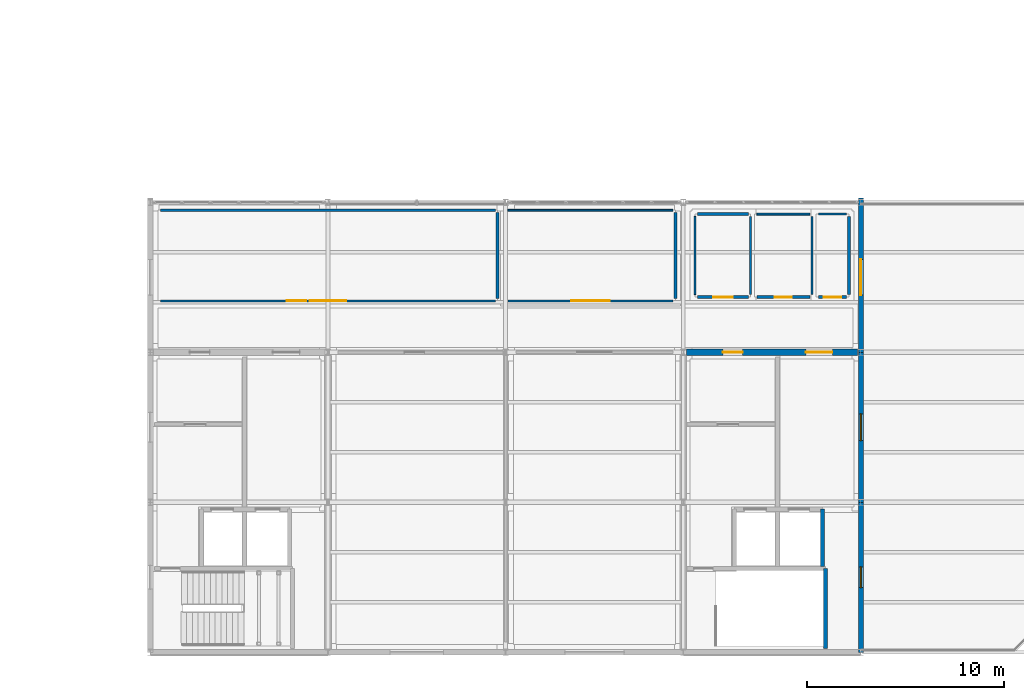
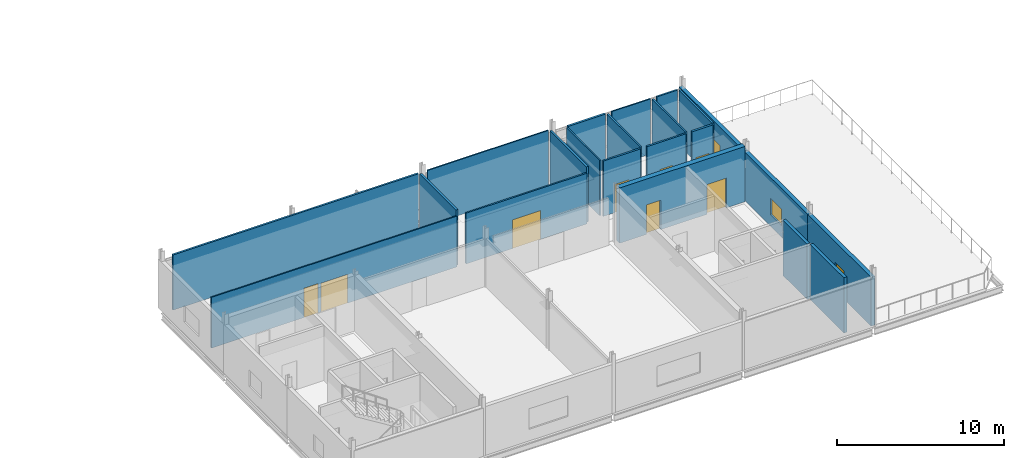
# One storey, part 21 of 24: 22 walls, 9 doors, 2 windows, 11 openings.
"""IFC4 building model written with IfcOpenShell, lengths in metres."""

import ifcopenshell
import ifcopenshell.guid

model = None  # the IFC model being written
_history = None  # IfcOwnerHistory: only IFC2X3 demands one
_inside = {}  # id of a spatial element -> (the spatial element, [elements in it])
_under = {}  # id of a project, library or spatial element -> (it, [spatial elements below it])
_declared = {}  # id of a project -> (the project, [libraries it declares])
_typed = {}  # id of a type object -> (the type object, [elements of that type])
_made_of = {}  # id of a material, layer set ... -> (it, [elements and type objects made of it])


def new_model(schema):
    """Start an empty IFC model of exactly this schema.

    Asked for "IFC4X3", IfcOpenShell would pick the latest addendum, in which some entities
    have other attributes; the version numbers below select the first issue.
    IFC2X3 requires an IfcOwnerHistory on every rooted entity: one is made here for all.
    """
    global model, _history
    if schema == "IFC4X3":
        model = ifcopenshell.file(schema_version=(4, 3, 0, 0))
    else:
        model = ifcopenshell.file(schema=schema)
    _inside.clear()
    _under.clear()
    _declared.clear()
    _typed.clear()
    _made_of.clear()
    _history = None
    if model.schema == "IFC2X3":
        org = make("IfcOrganization", Name="unknown")
        user = make(
            "IfcPersonAndOrganization",
            ThePerson=make("IfcPerson", FamilyName="unknown"),
            TheOrganization=org,
        )
        app = make(
            "IfcApplication",
            ApplicationDeveloper=org,
            Version="unknown",
            ApplicationFullName="unknown",
            ApplicationIdentifier="unknown",
        )
        _history = make(
            "IfcOwnerHistory",
            OwningUser=user,
            OwningApplication=app,
            ChangeAction="ADDED",
            CreationDate=0,
        )
    return model


def make(cls, **values):
    """One entity of the class cls with the attributes given. An attribute that is None is left unset."""
    return model.create_entity(
        cls, **{name: value for name, value in values.items() if value is not None}
    )


def rooted(cls, **values):
    """An entity with a GlobalId (a new one), such as an element, a storey or a relation."""
    return make(cls, GlobalId=ifcopenshell.guid.new(), OwnerHistory=_history, **values)


def si_unit(unit_type, name, prefix=None):
    """IfcSIUnit, for example si_unit("LENGTHUNIT", "METRE", prefix="MILLI")."""
    return make("IfcSIUnit", UnitType=unit_type, Prefix=prefix, Name=name)


def assignment(units):
    """IfcUnitAssignment: the units of a project."""
    return None if units is None else make("IfcUnitAssignment", Units=units)


def point(xyz):
    """IfcCartesianPoint."""
    return None if xyz is None else make("IfcCartesianPoint", Coordinates=xyz)


def direction(xyz):
    """IfcDirection."""
    return None if xyz is None else make("IfcDirection", DirectionRatios=xyz)


def frame(location, z_axis=None, x_axis=None):
    """IfcAxis2Placement3D, a coordinate frame: its origin and axes. An axis left out is left unset."""
    return make(
        "IfcAxis2Placement3D",
        Location=point(location),
        Axis=direction(z_axis),
        RefDirection=direction(x_axis),
    )


def frame_2d(location, x_axis=None):
    """IfcAxis2Placement2D, a coordinate frame in the plane: its origin and x axis."""
    return make(
        "IfcAxis2Placement2D", Location=point(location), RefDirection=direction(x_axis)
    )


def origin():
    """The frame at (0, 0, 0) with its axes left unset."""
    return frame((0.0, 0.0, 0.0))


def place(relative_to, where):
    """IfcLocalPlacement: puts the frame where relative to a parent placement (None: the world)."""
    return make(
        "IfcLocalPlacement", PlacementRelTo=relative_to, RelativePlacement=where
    )


def context(
    kind, dimensions, precision=None, world=None, true_north=None, identifier=None
):
    """IfcGeometricRepresentationContext, for example the 3D "Model" context."""
    return make(
        "IfcGeometricRepresentationContext",
        ContextIdentifier=identifier,
        ContextType=kind,
        CoordinateSpaceDimension=dimensions,
        Precision=precision,
        WorldCoordinateSystem=world,
        TrueNorth=true_north,
    )


def subcontext(parent, identifier, kind, view, scale=None):
    """IfcGeometricRepresentationSubContext, for example "Body" below "Model"."""
    return make(
        "IfcGeometricRepresentationSubContext",
        ContextIdentifier=identifier,
        ContextType=kind,
        ParentContext=parent,
        TargetScale=scale,
        TargetView=view,
    )


def project(units=None, contexts=None):
    """IfcProject with its units and contexts."""
    return rooted(
        "IfcProject",
        Name="project",
        RepresentationContexts=contexts,
        UnitsInContext=assignment(units),
    )


def spatial(cls, under=None, at=None, **own):
    """A site, building, storey or space (cls), placed at a placement, below another one or the project."""
    s = rooted(cls, ObjectPlacement=at, **own)
    if under is not None:
        _under.setdefault(under.id(), (under, []))[1].append(s)
    return s


def profile(cls, at=None, kind="AREA", **sizes):
    """A parametric profile (cls). Its sizes go by their IFC names, for example OverallWidth=200.0."""
    return make(cls, ProfileType=kind, Position=at, **sizes)


def rectangle(**sizes):
    """IfcRectangleProfileDef."""
    return profile("IfcRectangleProfileDef", **sizes)


def extrude(swept, where, along, depth):
    """IfcExtrudedAreaSolid: the profile swept, set in the frame where, extruded along a direction by depth."""
    return make(
        "IfcExtrudedAreaSolid",
        SweptArea=swept,
        Position=where,
        ExtrudedDirection=direction(along),
        Depth=depth,
    )


def shape(context_of_items, identifier, shape_type, items):
    """IfcShapeRepresentation: the items that make up one representation, for example the "Body"."""
    return make(
        "IfcShapeRepresentation",
        ContextOfItems=context_of_items,
        RepresentationIdentifier=identifier,
        RepresentationType=shape_type,
        Items=items,
    )


def material(Name=None, Category=None):
    """IfcMaterial."""
    return make("IfcMaterial", Name=Name, Category=Category)


def layer(
    of_material, thickness, ventilated=None, Name=None, Category=None, Priority=None
):
    """IfcMaterialLayer: one layer of a wall or slab, of a material (None: an air gap)."""
    return make(
        "IfcMaterialLayer",
        Material=of_material,
        LayerThickness=thickness,
        IsVentilated=ventilated,
        Name=Name,
        Category=Category,
        Priority=Priority,
    )


def layer_set(layers, Name=None):
    """IfcMaterialLayerSet."""
    return make("IfcMaterialLayerSet", MaterialLayers=layers, LayerSetName=Name)


def made_of(thing, what):
    """Note that an element or type object is made of a material, layer set ...; save() writes the relation."""
    if what is not None:
        _made_of.setdefault(what.id(), (what, []))[1].append(thing)
    return thing


def type_object(cls, material=None, **own):
    """A type object (cls), such as IfcWallType, which elements share."""
    return made_of(rooted(cls, **own), material)


def element(
    cls,
    number,
    at=None,
    inside=None,
    cuts=None,
    type_object=None,
    material=None,
    context=None,
    identifier="Body",
    shape_type=None,
    held_by="IfcProductDefinitionShape",
    body=None,
    shapes=None,
    **own,
):
    """One element of the class cls, such as IfcWall. Its Tag is "e" and its number.

    at: its placement. inside: the storey or other place that contains it. cuts: it is an
    opening in that element (IfcRelVoidsElement). A single representation is given by context,
    identifier, shape_type and body (its items); several are given by shapes. held_by: the class
    of the entity that holds the representations. save() writes the other relations.
    """
    e = rooted(cls, Tag="e%d" % number, ObjectPlacement=at, **own)
    if body is not None:
        shapes = [shape(context, identifier, shape_type, body)]
    if shapes is not None:
        e.Representation = make(held_by, Representations=shapes)
    if inside is not None:
        _inside.setdefault(inside.id(), (inside, []))[1].append(e)
    if cuts is not None:
        rooted(
            "IfcRelVoidsElement", RelatingBuildingElement=cuts, RelatedOpeningElement=e
        )
    if type_object is not None:
        _typed.setdefault(type_object.id(), (type_object, []))[1].append(e)
    return made_of(e, material)


def fill(opening, filler):
    """IfcRelFillsElement: the door or window that sits in an opening."""
    return rooted(
        "IfcRelFillsElement",
        RelatingOpeningElement=opening,
        RelatedBuildingElement=filler,
    )


def aggregate(whole, parts):
    """IfcRelAggregates: a whole, such as a stair, and the parts it consists of."""
    return rooted("IfcRelAggregates", RelatingObject=whole, RelatedObjects=parts)


def save(model, path):
    """Write the relations noted so far, then the file.

    IfcRelAggregates (storeys below a building ...), IfcRelContainedInSpatialStructure (elements
    in a storey), IfcRelDefinesByType, IfcRelAssociatesMaterial and IfcRelDeclares: one each for
    every whole, place, type object, material and project.
    """
    for whole, parts in _under.values():
        aggregate(whole, parts)
    for where, things in _inside.values():
        rooted(
            "IfcRelContainedInSpatialStructure",
            RelatedElements=things,
            RelatingStructure=where,
        )
    for kind, things in _typed.values():
        rooted("IfcRelDefinesByType", RelatedObjects=things, RelatingType=kind)
    for what, things in _made_of.values():
        rooted("IfcRelAssociatesMaterial", RelatedObjects=things, RelatingMaterial=what)
    for by, libraries in _declared.values():
        rooted("IfcRelDeclares", RelatingContext=by, RelatedDefinitions=libraries)
    model.write(path)


model = new_model("IFC4")

# Units and contexts
model_context = context("Model", 3, precision=1e-05, world=origin(), true_north=direction((0.0, 1.0)))
body_context = subcontext(model_context, "Body", "Model", "MODEL_VIEW")
ifc_project = project(units=[si_unit("LENGTHUNIT", "METRE"), si_unit("AREAUNIT", "SQUARE_METRE"), si_unit("VOLUMEUNIT", "CUBIC_METRE"), si_unit("PLANEANGLEUNIT", "RADIAN"), si_unit("MASSUNIT", "GRAM", prefix="KILO")], contexts=[model_context])

# Site, building, storey
site_placement = place(None, origin())
site = spatial("IfcSite", under=ifc_project, at=site_placement, CompositionType="ELEMENT")
building_placement = place(site_placement, origin())
building = spatial("IfcBuilding", under=site, at=building_placement, Name="Caisbarro Railhouse Central Library", CompositionType="ELEMENT")
storey_placement = place(building_placement, frame((0.0, 0.0, 22.320068359375)))
storey = spatial("IfcBuildingStorey", under=building, at=storey_placement, Name="L05", CompositionType="ELEMENT", Elevation=22.320068359375)

# Wall, openings, doors
ifc_material_1 = material(Name="Concrete C40", Category="concrete")
ifc_layer_1 = layer(ifc_material_1, 0.35009765625, Name="Concrete C40")
ifc_layer_set_1 = layer_set([ifc_layer_1], Name="Concrete C40")
wall_type_1 = type_object("IfcWallType", Name="WAL-CW35", PredefinedType="SHEAR", material=ifc_layer_set_1)
wall_1_placement = place(storey_placement, frame((90.159912109375, 15.199951171875, 0.0), z_axis=(0.0, 0.0, 1.0), x_axis=(1.0, 0.0, 0.0)))
wall_1 = element("IfcWall", 1, at=wall_1_placement, inside=storey, type_object=wall_type_1, Name="CW35 RC core shear wall L05 #38", PredefinedType="SHEAR", context=body_context, shape_type="SweptSolid", body=[
    extrude(rectangle(XDim=8.68017578125, YDim=0.35009765625, at=frame_2d((4.340087890625, 0.0))), origin(), (0.0, 0.0, 1.0), 4.0400390625),
])
opening_1_placement = place(wall_1_placement, frame((1.85009765625, 0.0, 0.0)))
opening_1 = element("IfcOpeningElement", 2, at=opening_1_placement, cuts=wall_1, Name="Opening FD05", PredefinedType="OPENING", context=body_context, shape_type="SweptSolid", body=[
    extrude(rectangle(XDim=1.0, YDim=2.14990234375, at=frame_2d((0.5, 1.074951171875))), frame((0.0, 0.18505859375, 0.0), z_axis=(0.0, -1.0, 0.0), x_axis=(1.0, 0.0, 0.0)), (0.0, 0.0, 1.0), 0.3701171875),
])
opening_2_placement = place(wall_1_placement, frame((6.050048828125, 0.0, 0.0)))
opening_2 = element("IfcOpeningElement", 3, at=opening_2_placement, cuts=wall_1, Name="Opening FD06", PredefinedType="OPENING", context=body_context, shape_type="SweptSolid", body=[
    extrude(rectangle(XDim=1.35009765625, YDim=2.179931640625, at=frame_2d((0.675048828125, 1.08984375))), frame((0.0, 0.18505859375, 0.0), z_axis=(0.0, -1.0, 0.0), x_axis=(1.0, 0.0, 0.0)), (0.0, 0.0, 1.0), 0.3701171875),
])
ifc_material_2 = material(Name="Fire-rated painted galvanised steel", Category="steel")
door_type_1 = type_object("IfcDoorType", Name="DR-FD05", OperationType="NOTDEFINED", PredefinedType="DOOR", material=ifc_material_2)
door_1_placement = place(opening_1_placement, origin())
door_1 = element("IfcDoor", 4, at=door_1_placement, inside=storey, type_object=door_type_1, Name="Core K2 Vestibule Door FD05 L05-083", OperationType="SINGLE_SWING_LEFT", OverallHeight=2.14990234375, OverallWidth=1.0, PredefinedType="DOOR", context=body_context, shape_type="SweptSolid", body=[
    extrude(rectangle(XDim=1.0, YDim=2.14990234375, at=frame_2d((0.5, 1.074951171875))), frame((0.0, 0.02490234375, 0.0), z_axis=(0.0, -1.0, 0.0), x_axis=(1.0, 0.0, 0.0)), (0.0, 0.0, 1.0), 0.050048828125),
])
fill(opening_1, door_1)
door_type_2 = type_object("IfcDoorType", Name="DR-FD06", OperationType="NOTDEFINED", PredefinedType="DOOR", material=ifc_material_2)
door_2_placement = place(opening_2_placement, origin())
door_2 = element("IfcDoor", 5, at=door_2_placement, inside=storey, type_object=door_type_2, Name="Core K2 Lift Lobby Door FD06 L05-084", OperationType="SINGLE_SWING_RIGHT", OverallHeight=2.179931640625, OverallWidth=1.35009765625, PredefinedType="DOOR", context=body_context, shape_type="SweptSolid", body=[
    extrude(rectangle(XDim=1.35009765625, YDim=2.179931640625, at=frame_2d((0.675048828125, 1.08984375))), frame((0.0, 0.02490234375, 0.0), z_axis=(0.0, -1.0, 0.0), x_axis=(1.0, 0.0, 0.0)), (0.0, 0.0, 1.0), 0.050048828125),
])
fill(opening_2, door_2)

# Wall, opening, window
ifc_material_3 = material(Name="Concrete C35 insulated architectural precast", Category="concrete")
ifc_layer_2 = layer(ifc_material_3, 0.260009765625, Name="Concrete C35 insulated architectural precast")
ifc_layer_set_2 = layer_set([ifc_layer_2], Name="Concrete C35 insulated architectural precast")
wall_type_2 = type_object("IfcWallType", Name="WAL-EW26", PredefinedType="STANDARD", material=ifc_layer_set_2)
wall_2_placement = place(storey_placement, frame((99.0, 0.0, 0.0), z_axis=(0.0, 0.0, 1.0), x_axis=(0.0, 1.0, 0.0)))
wall_2 = element("IfcWall", 6, at=wall_2_placement, inside=storey, type_object=wall_type_2, Name="EW26 exterior wall L05 #132", PredefinedType="STANDARD", context=body_context, shape_type="SweptSolid", body=[
    extrude(rectangle(XDim=7.60009765625, YDim=0.260009765625, at=frame_2d((3.800048828125, 0.0))), origin(), (0.0, 0.0, 1.0), 3.558837890625),
])
opening_3_placement = place(wall_2_placement, frame((3.27490234375, 0.0, 0.85009765625)))
opening_3 = element("IfcOpeningElement", 7, at=opening_3_placement, cuts=wall_2, Name="Opening W02", PredefinedType="OPENING", context=body_context, shape_type="SweptSolid", body=[
    extrude(rectangle(XDim=1.050048828125, YDim=1.199951171875, at=frame_2d((0.52490234375, 0.60009765625))), frame((0.0, 0.14013671875, 0.0), z_axis=(0.0, -1.0, 0.0), x_axis=(1.0, 0.0, 0.0)), (0.0, 0.0, 1.0), 0.280029296875),
])
ifc_material_4 = material(Name="Double low-e laminated solar-control glass", Category="glass")
window_type_1 = type_object("IfcWindowType", Name="WIN-W02", PartitioningType="SINGLE_PANEL", PredefinedType="WINDOW", material=ifc_material_4)
window_1_placement = place(opening_3_placement, origin())
window_1 = element("IfcWindow", 8, at=window_1_placement, inside=storey, type_object=window_type_1, Name="W02 window L05-047", OverallHeight=1.199951171875, OverallWidth=1.050048828125, PartitioningType="SINGLE_PANEL", PredefinedType="WINDOW", context=body_context, shape_type="SweptSolid", body=[
    extrude(rectangle(XDim=1.050048828125, YDim=1.199951171875, at=frame_2d((0.52490234375, 0.60009765625))), frame((0.0, 0.030029296875, 0.0), z_axis=(0.0, -1.0, 0.0), x_axis=(1.0, 0.0, 0.0)), (0.0, 0.0, 1.0), 0.06005859375),
])
fill(opening_3, window_1)

wall_3_placement = place(storey_placement, frame((99.0, 7.60009765625, 0.0), z_axis=(0.0, 0.0, 1.0), x_axis=(0.0, 1.0, 0.0)))
wall_3 = element("IfcWall", 9, at=wall_3_placement, inside=storey, type_object=wall_type_2, Name="EW26 exterior wall L05 #134", PredefinedType="STANDARD", context=body_context, shape_type="SweptSolid", body=[
    extrude(rectangle(XDim=7.599853515625, YDim=0.260009765625, at=frame_2d((3.7998046875, 0.0))), origin(), (0.0, 0.0, 1.0), 3.558837890625),
])
opening_4_placement = place(wall_3_placement, frame((3.125, 0.0, 0.85009765625)))
opening_4 = element("IfcOpeningElement", 10, at=opening_4_placement, cuts=wall_3, Name="Opening W04", PredefinedType="OPENING", context=body_context, shape_type="SweptSolid", body=[
    extrude(rectangle(XDim=1.35009765625, YDim=1.199951171875, at=frame_2d((0.675048828125, 0.60009765625))), frame((0.0, 0.14013671875, 0.0), z_axis=(0.0, -1.0, 0.0), x_axis=(1.0, 0.0, 0.0)), (0.0, 0.0, 1.0), 0.280029296875),
])
window_type_2 = type_object("IfcWindowType", Name="WIN-W04", PartitioningType="SINGLE_PANEL", PredefinedType="WINDOW", material=ifc_material_4)
window_2_placement = place(opening_4_placement, origin())
window_2 = element("IfcWindow", 11, at=window_2_placement, inside=storey, type_object=window_type_2, Name="W04 window L05-049", OverallHeight=1.199951171875, OverallWidth=1.35009765625, PartitioningType="SINGLE_PANEL", PredefinedType="WINDOW", context=body_context, shape_type="SweptSolid", body=[
    extrude(rectangle(XDim=1.35009765625, YDim=1.199951171875, at=frame_2d((0.675048828125, 0.60009765625))), frame((0.0, 0.030029296875, 0.0), z_axis=(0.0, -1.0, 0.0), x_axis=(1.0, 0.0, 0.0)), (0.0, 0.0, 1.0), 0.06005859375),
])
fill(opening_4, window_2)

# Wall, opening, door
wall_4_placement = place(storey_placement, frame((99.0, 15.199951171875, 0.0), z_axis=(0.0, 0.0, 1.0), x_axis=(0.0, 1.0, 0.0)))
wall_4 = element("IfcWall", 12, at=wall_4_placement, inside=storey, type_object=wall_type_2, Name="EW26 exterior wall L05 #136", PredefinedType="STANDARD", context=body_context, shape_type="SweptSolid", body=[
    extrude(rectangle(XDim=7.81005859375, YDim=0.260009765625, at=frame_2d((3.905029296875, 0.0))), origin(), (0.0, 0.0, 1.0), 3.558837890625),
])
opening_5_placement = place(wall_4_placement, frame((2.889892578125, 0.0, 0.0)))
opening_5 = element("IfcOpeningElement", 13, at=opening_5_placement, cuts=wall_4, Name="Opening TD01", PredefinedType="OPENING", context=body_context, shape_type="SweptSolid", body=[
    extrude(rectangle(XDim=1.820068359375, YDim=2.199951171875, at=frame_2d((0.91015625, 1.10009765625))), frame((0.0, 0.14013671875, 0.0), z_axis=(0.0, -1.0, 0.0), x_axis=(1.0, 0.0, 0.0)), (0.0, 0.0, 1.0), 0.280029296875),
])
ifc_material_5 = material(Name="Thermally broken anodised aluminium and safety glass", Category="aluminium")
door_type_3 = type_object("IfcDoorType", Name="DR-TD01", OperationType="NOTDEFINED", PredefinedType="DOOR", material=ifc_material_5)
door_3_placement = place(opening_5_placement, frame((1.820068359375, 0.0, 0.0), z_axis=(0.0, 0.0, 1.0), x_axis=(-1.0, 0.0, 0.0)))
door_3 = element("IfcDoor", 14, at=door_3_placement, inside=storey, type_object=door_type_3, Name="Terrace Door TD01 L05-24", OperationType="SINGLE_SWING_LEFT", OverallHeight=2.199951171875, OverallWidth=1.820068359375, PredefinedType="DOOR", context=body_context, shape_type="SweptSolid", body=[
    extrude(rectangle(XDim=1.820068359375, YDim=2.199951171875, at=frame_2d((0.91015625, 1.10009765625))), frame((0.0, 0.02490234375, 0.0), z_axis=(0.0, -1.0, 0.0), x_axis=(1.0, 0.0, 0.0)), (0.0, 0.0, 1.0), 0.050048828125),
])
fill(opening_5, door_3)

# Wall, openings, doors
ifc_material_6 = material(Name="Acoustic gypsum board on galvanised steel studs", Category="steel")
ifc_layer_3 = layer(ifc_material_6, 0.090087890625, Name="Acoustic gypsum board on galvanised steel studs")
ifc_layer_set_3 = layer_set([ifc_layer_3], Name="Acoustic gypsum board on galvanised steel studs")
wall_type_3 = type_object("IfcWallType", Name="WAL-IW09", PredefinedType="PARTITIONING", material=ifc_layer_set_3)
wall_5_placement = place(storey_placement, frame((63.52001953125, 17.800048828125, 0.0), z_axis=(0.0, 0.0, 1.0), x_axis=(1.0, 0.0, 0.0)))
wall_5 = element("IfcWall", 15, at=wall_5_placement, inside=storey, type_object=wall_type_3, Name="IW09 partition wall L05 #644", PredefinedType="PARTITIONING", context=body_context, shape_type="SweptSolid", body=[
    extrude(rectangle(XDim=16.9599609375, YDim=0.090087890625, at=frame_2d((8.47998046875, 0.0))), origin(), (0.0, 0.0, 1.0), 3.7109375),
])
opening_6_placement = place(wall_5_placement, frame((7.56005859375, 0.0, 0.0)))
opening_6 = element("IfcOpeningElement", 16, at=opening_6_placement, cuts=wall_5, Name="Opening ID22", PredefinedType="OPENING", context=body_context, shape_type="SweptSolid", body=[
    extrude(rectangle(XDim=1.840087890625, YDim=2.10009765625, at=frame_2d((0.919921875, 1.050048828125))), frame((0.0, 0.05517578125, 0.0), z_axis=(0.0, -1.0, 0.0), x_axis=(1.0, 0.0, 0.0)), (0.0, 0.0, 1.0), 0.110107421875),
])
opening_7_placement = place(wall_5_placement, frame((6.385009765625, 0.0, 0.0)))
opening_7 = element("IfcOpeningElement", 17, at=opening_7_placement, cuts=wall_5, Name="Opening ID27", PredefinedType="OPENING", context=body_context, shape_type="SweptSolid", body=[
    extrude(rectangle(XDim=0.989990234375, YDim=2.14990234375, at=frame_2d((0.4951171875, 1.074951171875))), frame((0.0, 0.05517578125, 0.0), z_axis=(0.0, -1.0, 0.0), x_axis=(1.0, 0.0, 0.0)), (0.0, 0.0, 1.0), 0.110107421875),
])
ifc_material_7 = material(Name="Solid-core tropical hardwood veneer", Category="wood")
door_type_4 = type_object("IfcDoorType", Name="DR-ID22", OperationType="NOTDEFINED", PredefinedType="DOOR", material=ifc_material_7)
door_4_placement = place(opening_6_placement, origin())
door_4 = element("IfcDoor", 18, at=door_4_placement, inside=storey, type_object=door_type_4, Name="Chief Librarian and Curatorial Office Door ID22 L05-350", OperationType="SINGLE_SWING_RIGHT", OverallHeight=2.10009765625, OverallWidth=1.840087890625, PredefinedType="DOOR", context=body_context, shape_type="SweptSolid", body=[
    extrude(rectangle(XDim=1.840087890625, YDim=2.10009765625, at=frame_2d((0.919921875, 1.050048828125))), frame((0.0, 0.02490234375, 0.0), z_axis=(0.0, -1.0, 0.0), x_axis=(1.0, 0.0, 0.0)), (0.0, 0.0, 1.0), 0.050048828125),
])
fill(opening_6, door_4)
door_type_5 = type_object("IfcDoorType", Name="DR-ID27", OperationType="NOTDEFINED", PredefinedType="DOOR", material=ifc_material_7)
door_5_placement = place(opening_7_placement, origin())
door_5 = element("IfcDoor", 19, at=door_5_placement, inside=storey, type_object=door_type_5, Name="Top Floor Corridor L05 Door ID27 L05-355", OperationType="SINGLE_SWING_LEFT", OverallHeight=2.14990234375, OverallWidth=0.989990234375, PredefinedType="DOOR", context=body_context, shape_type="SweptSolid", body=[
    extrude(rectangle(XDim=0.989990234375, YDim=2.14990234375, at=frame_2d((0.4951171875, 1.074951171875))), frame((0.0, 0.02490234375, 0.0), z_axis=(0.0, -1.0, 0.0), x_axis=(1.0, 0.0, 0.0)), (0.0, 0.0, 1.0), 0.050048828125),
])
fill(opening_7, door_5)

# Walls
wall_6_placement = place(storey_placement, frame((81.1201171875, 22.39990234375, 0.0), z_axis=(0.0, 0.0, 1.0), x_axis=(1.0, 0.0, 0.0)))
element("IfcWall", 20, at=wall_6_placement, inside=storey, type_object=wall_type_3, Name="IW09 partition wall L05 #648", PredefinedType="PARTITIONING", context=body_context, shape_type="SweptSolid", body=[
    extrude(rectangle(XDim=8.35986328125, YDim=0.090087890625, at=frame_2d((4.179931640625, 0.0))), origin(), (0.0, 0.0, 1.0), 4.0400390625),
])
wall_7_placement = place(storey_placement, frame((90.60009765625, 18.1201171875, 0.0), z_axis=(0.0, 0.0, 1.0), x_axis=(0.0, 1.0, 0.0)))
element("IfcWall", 21, at=wall_7_placement, inside=storey, type_object=wall_type_3, Name="IW09 partition wall L05 #652", PredefinedType="PARTITIONING", context=body_context, shape_type="SweptSolid", body=[
    extrude(rectangle(XDim=3.9599609375, YDim=0.090087890625, at=frame_2d((1.97998046875, 0.0))), origin(), (0.0, 0.0, 1.0), 4.0400390625),
])
wall_8_placement = place(storey_placement, frame((93.736083984375, 22.199951171875, 0.0), z_axis=(0.0, 0.0, 1.0), x_axis=(1.0, 0.0, 0.0)))
element("IfcWall", 22, at=wall_8_placement, inside=storey, type_object=wall_type_3, Name="IW09 partition wall L05 #656", PredefinedType="PARTITIONING", context=body_context, shape_type="SweptSolid", body=[
    extrude(rectangle(XDim=2.676025390625, YDim=0.090087890625, at=frame_2d((1.337890625, 0.0))), origin(), (0.0, 0.0, 1.0), 4.0400390625),
])

# Wall, opening, door
ifc_layer_4 = layer(ifc_material_6, 0.110107421875, Name="Acoustic gypsum board on galvanised steel studs")
ifc_layer_set_4 = layer_set([ifc_layer_4], Name="Acoustic gypsum board on galvanised steel studs")
wall_type_4 = type_object("IfcWallType", Name="WAL-IW11", PredefinedType="PARTITIONING", material=ifc_layer_set_4)
wall_9_placement = place(storey_placement, frame((81.1201171875, 17.800048828125, 0.0), z_axis=(0.0, 0.0, 1.0), x_axis=(1.0, 0.0, 0.0)))
wall_9 = element("IfcWall", 23, at=wall_9_placement, inside=storey, type_object=wall_type_4, Name="IW11 partition wall L05 #647", PredefinedType="PARTITIONING", context=body_context, shape_type="SweptSolid", body=[
    extrude(rectangle(XDim=8.35986328125, YDim=0.110107421875, at=frame_2d((4.179931640625, 0.0))), origin(), (0.0, 0.0, 1.0), 3.7109375),
])
opening_8_placement = place(wall_9_placement, frame((3.2099609375, 0.0, 0.0)))
opening_8 = element("IfcOpeningElement", 24, at=opening_8_placement, cuts=wall_9, Name="Opening ID23", PredefinedType="OPENING", context=body_context, shape_type="SweptSolid", body=[
    extrude(rectangle(XDim=1.93994140625, YDim=2.10009765625, at=frame_2d((0.969970703125, 1.050048828125))), frame((0.0, 0.06494140625, 0.0), z_axis=(0.0, -1.0, 0.0), x_axis=(1.0, 0.0, 0.0)), (0.0, 0.0, 1.0), 0.130126953125),
])
door_type_6 = type_object("IfcDoorType", Name="DR-ID23", OperationType="NOTDEFINED", PredefinedType="DOOR", material=ifc_material_7)
door_6_placement = place(opening_8_placement, origin())
door_6 = element("IfcDoor", 25, at=door_6_placement, inside=storey, type_object=door_type_6, Name="Board and Endowment Seminar Room Door ID23 L05-351", OperationType="SINGLE_SWING_LEFT", OverallHeight=2.10009765625, OverallWidth=1.93994140625, PredefinedType="DOOR", context=body_context, shape_type="SweptSolid", body=[
    extrude(rectangle(XDim=1.93994140625, YDim=2.10009765625, at=frame_2d((0.969970703125, 1.050048828125))), frame((0.0, 0.02490234375, 0.0), z_axis=(0.0, -1.0, 0.0), x_axis=(1.0, 0.0, 0.0)), (0.0, 0.0, 1.0), 0.050048828125),
])
fill(opening_8, door_6)

# Walls
for number, where, z_axis, x_axis, name in (
    (26, (93.416015625, 18.1201171875, 0.0), (0.0, 0.0, 1.0), (0.0, 1.0, 0.0), "IW11 partition wall L05 #651"),
    (27, (96.531982421875, 18.1201171875, 0.0), (0.0, 0.0, 1.0), (0.0, 1.0, 0.0), "IW11 partition wall L05 #655"),
):
    element("IfcWall", number, at=place(storey_placement, frame(where, z_axis=z_axis, x_axis=x_axis)), inside=storey, type_object=wall_type_4, Name=name, PredefinedType="PARTITIONING", context=body_context, shape_type="SweptSolid", body=[
        extrude(rectangle(XDim=3.9599609375, YDim=0.110107421875, at=frame_2d((1.97998046875, 0.0))), origin(), (0.0, 0.0, 1.0), 4.0400390625),
    ])
wall_10_placement = place(storey_placement, frame((96.85205078125, 22.199951171875, 0.0), z_axis=(0.0, 0.0, 1.0), x_axis=(1.0, 0.0, 0.0)))
element("IfcWall", 28, at=wall_10_placement, inside=storey, type_object=wall_type_4, Name="IW11 partition wall L05 #659", PredefinedType="PARTITIONING", context=body_context, shape_type="SweptSolid", body=[
    extrude(rectangle(XDim=1.427978515625, YDim=0.110107421875, at=frame_2d((0.7138671875, 0.0))), origin(), (0.0, 0.0, 1.0), 4.0400390625),
])
ifc_layer_5 = layer(ifc_material_6, 0.1298828125, Name="Acoustic gypsum board on galvanised steel studs")
ifc_layer_set_5 = layer_set([ifc_layer_5], Name="Acoustic gypsum board on galvanised steel studs")
wall_type_5 = type_object("IfcWallType", Name="WAL-IW13", PredefinedType="PARTITIONING", material=ifc_layer_set_5)
wall_11_placement = place(storey_placement, frame((63.52001953125, 22.39990234375, 0.0), z_axis=(0.0, 0.0, 1.0), x_axis=(1.0, 0.0, 0.0)))
element("IfcWall", 29, at=wall_11_placement, inside=storey, type_object=wall_type_5, Name="IW13 partition wall L05 #646", PredefinedType="PARTITIONING", context=body_context, shape_type="SweptSolid", body=[
    extrude(rectangle(XDim=16.9599609375, YDim=0.1298828125, at=frame_2d((8.47998046875, 0.0))), origin(), (0.0, 0.0, 1.0), 4.0400390625),
])

# Wall, opening, door
wall_12_placement = place(storey_placement, frame((90.719970703125, 18.0, 0.0), z_axis=(0.0, 0.0, 1.0), x_axis=(1.0, 0.0, 0.0)))
wall_12 = element("IfcWall", 30, at=wall_12_placement, inside=storey, type_object=wall_type_5, Name="IW13 partition wall L05 #650", PredefinedType="PARTITIONING", context=body_context, shape_type="SweptSolid", body=[
    extrude(rectangle(XDim=2.575927734375, YDim=0.1298828125, at=frame_2d((1.2880859375, 0.0))), origin(), (0.0, 0.0, 1.0), 4.0400390625),
])
opening_9_placement = place(wall_12_placement, frame((0.798095703125, 0.0, 0.0)))
opening_9 = element("IfcOpeningElement", 31, at=opening_9_placement, cuts=wall_12, Name="Opening ID04", PredefinedType="OPENING", context=body_context, shape_type="SweptSolid", body=[
    extrude(rectangle(XDim=0.97998046875, YDim=2.06005859375, at=frame_2d((0.489990234375, 1.030029296875))), frame((0.0, 0.074951171875, 0.0), z_axis=(0.0, -1.0, 0.0), x_axis=(1.0, 0.0, 0.0)), (0.0, 0.0, 1.0), 0.14990234375),
])
door_type_7 = type_object("IfcDoorType", Name="DR-ID04", OperationType="NOTDEFINED", PredefinedType="DOOR", material=ifc_material_7)
door_7_placement = place(opening_9_placement, origin())
door_7 = element("IfcDoor", 32, at=door_7_placement, inside=storey, type_object=door_type_7, Name="Male WC L05-V5 Door ID04 L05-352", OperationType="SINGLE_SWING_RIGHT", OverallHeight=2.06005859375, OverallWidth=0.97998046875, PredefinedType="DOOR", context=body_context, shape_type="SweptSolid", body=[
    extrude(rectangle(XDim=0.97998046875, YDim=2.06005859375, at=frame_2d((0.489990234375, 1.030029296875))), frame((0.0, 0.02490234375, 0.0), z_axis=(0.0, -1.0, 0.0), x_axis=(1.0, 0.0, 0.0)), (0.0, 0.0, 1.0), 0.050048828125),
])
fill(opening_9, door_7)

wall_13_placement = place(storey_placement, frame((93.736083984375, 18.0, 0.0), z_axis=(0.0, 0.0, 1.0), x_axis=(1.0, 0.0, 0.0)))
wall_13 = element("IfcWall", 33, at=wall_13_placement, inside=storey, type_object=wall_type_5, Name="IW13 partition wall L05 #654", PredefinedType="PARTITIONING", context=body_context, shape_type="SweptSolid", body=[
    extrude(rectangle(XDim=2.676025390625, YDim=0.1298828125, at=frame_2d((1.337890625, 0.0))), origin(), (0.0, 0.0, 1.0), 4.0400390625),
])
opening_10_placement = place(wall_13_placement, frame((0.907958984375, 0.0, 0.0)))
opening_10 = element("IfcOpeningElement", 34, at=opening_10_placement, cuts=wall_13, Name="Opening ID01", PredefinedType="OPENING", context=body_context, shape_type="SweptSolid", body=[
    extrude(rectangle(XDim=0.860107421875, YDim=2.06005859375, at=frame_2d((0.43017578125, 1.030029296875))), frame((0.0, 0.074951171875, 0.0), z_axis=(0.0, -1.0, 0.0), x_axis=(1.0, 0.0, 0.0)), (0.0, 0.0, 1.0), 0.14990234375),
])
door_type_8 = type_object("IfcDoorType", Name="DR-ID01", OperationType="NOTDEFINED", PredefinedType="DOOR", material=ifc_material_7)
door_8_placement = place(opening_10_placement, origin())
door_8 = element("IfcDoor", 35, at=door_8_placement, inside=storey, type_object=door_type_8, Name="Female WC L05-V5 Door ID01 L05-353", OperationType="SINGLE_SWING_LEFT", OverallHeight=2.06005859375, OverallWidth=0.860107421875, PredefinedType="DOOR", context=body_context, shape_type="SweptSolid", body=[
    extrude(rectangle(XDim=0.860107421875, YDim=2.06005859375, at=frame_2d((0.43017578125, 1.030029296875))), frame((0.0, 0.02490234375, 0.0), z_axis=(0.0, -1.0, 0.0), x_axis=(1.0, 0.0, 0.0)), (0.0, 0.0, 1.0), 0.050048828125),
])
fill(opening_10, door_8)

# Walls
wall_14_placement = place(storey_placement, frame((98.39990234375, 18.1201171875, 0.0), z_axis=(0.0, 0.0, 1.0), x_axis=(0.0, 1.0, 0.0)))
element("IfcWall", 36, at=wall_14_placement, inside=storey, type_object=wall_type_5, Name="IW13 partition wall L05 #658", PredefinedType="PARTITIONING", context=body_context, shape_type="SweptSolid", body=[
    extrude(rectangle(XDim=3.9599609375, YDim=0.1298828125, at=frame_2d((1.97998046875, 0.0))), origin(), (0.0, 0.0, 1.0), 4.0400390625),
])
ifc_layer_6 = layer(ifc_material_6, 0.14990234375, Name="Acoustic gypsum board on galvanised steel studs")
ifc_layer_set_6 = layer_set([ifc_layer_6], Name="Acoustic gypsum board on galvanised steel studs")
wall_type_6 = type_object("IfcWallType", Name="WAL-IW15", PredefinedType="PARTITIONING", material=ifc_layer_set_6)
for number, where, z_axis, x_axis, name in (
    (37, (80.60009765625, 17.919921875, 0.0), (0.0, 0.0, 1.0), (0.0, 1.0, 0.0), "IW15 partition wall L05 #645"),
    (38, (89.60009765625, 17.919921875, 0.0), (0.0, 0.0, 1.0), (0.0, 1.0, 0.0), "IW15 partition wall L05 #649"),
):
    element("IfcWall", number, at=place(storey_placement, frame(where, z_axis=z_axis, x_axis=x_axis)), inside=storey, type_object=wall_type_6, Name=name, PredefinedType="PARTITIONING", context=body_context, shape_type="SweptSolid", body=[
        extrude(rectangle(XDim=4.360107421875, YDim=0.14990234375, at=frame_2d((2.18017578125, 0.0))), origin(), (0.0, 0.0, 1.0), 4.0400390625),
    ])
wall_15_placement = place(storey_placement, frame((90.719970703125, 22.199951171875, 0.0), z_axis=(0.0, 0.0, 1.0), x_axis=(1.0, 0.0, 0.0)))
element("IfcWall", 39, at=wall_15_placement, inside=storey, type_object=wall_type_6, Name="IW15 partition wall L05 #653", PredefinedType="PARTITIONING", context=body_context, shape_type="SweptSolid", body=[
    extrude(rectangle(XDim=2.575927734375, YDim=0.14990234375, at=frame_2d((1.2880859375, 0.0))), origin(), (0.0, 0.0, 1.0), 4.0400390625),
])

# Wall, opening, door
wall_16_placement = place(storey_placement, frame((96.85205078125, 18.0, 0.0), z_axis=(0.0, 0.0, 1.0), x_axis=(1.0, 0.0, 0.0)))
wall_16 = element("IfcWall", 40, at=wall_16_placement, inside=storey, type_object=wall_type_6, Name="IW15 partition wall L05 #657", PredefinedType="PARTITIONING", context=body_context, shape_type="SweptSolid", body=[
    extrude(rectangle(XDim=1.427978515625, YDim=0.14990234375, at=frame_2d((0.7138671875, 0.0))), origin(), (0.0, 0.0, 1.0), 4.0400390625),
])
opening_11_placement = place(wall_16_placement, frame((0.263916015625, 0.0, 0.0)))
opening_11 = element("IfcOpeningElement", 41, at=opening_11_placement, cuts=wall_16, Name="Opening ID02", PredefinedType="OPENING", context=body_context, shape_type="SweptSolid", body=[
    extrude(rectangle(XDim=0.89990234375, YDim=2.06005859375, at=frame_2d((0.449951171875, 1.030029296875))), frame((0.0, 0.0849609375, 0.0), z_axis=(0.0, -1.0, 0.0), x_axis=(1.0, 0.0, 0.0)), (0.0, 0.0, 1.0), 0.169921875),
])
door_type_9 = type_object("IfcDoorType", Name="DR-ID02", OperationType="NOTDEFINED", PredefinedType="DOOR", material=ifc_material_7)
door_9_placement = place(opening_11_placement, origin())
door_9 = element("IfcDoor", 42, at=door_9_placement, inside=storey, type_object=door_type_9, Name="Accessible WC L05-V5 Door ID02 L05-354", OperationType="SINGLE_SWING_RIGHT", OverallHeight=2.06005859375, OverallWidth=0.89990234375, PredefinedType="DOOR", context=body_context, shape_type="SweptSolid", body=[
    extrude(rectangle(XDim=0.89990234375, YDim=2.06005859375, at=frame_2d((0.449951171875, 1.030029296875))), frame((0.0, 0.02490234375, 0.0), z_axis=(0.0, -1.0, 0.0), x_axis=(1.0, 0.0, 0.0)), (0.0, 0.0, 1.0), 0.050048828125),
])
fill(opening_11, door_9)

# Walls
ifc_layer_7 = layer(ifc_material_1, 0.2099609375, Name="Concrete C40")
ifc_layer_set_7 = layer_set([ifc_layer_7], Name="Concrete C40")
wall_type_7 = type_object("IfcWallType", Name="WAL-SW21", PredefinedType="SOLIDWALL", material=ifc_layer_set_7)
wall_17_placement = place(storey_placement, frame((97.199951171875, 0.199951171875, 0.0), z_axis=(0.0, 0.0, 1.0), x_axis=(0.0, 1.0, 0.0)))
element("IfcWall", 43, at=wall_17_placement, inside=storey, type_object=wall_type_7, Name="SW21 core shaft wall L05 #93", PredefinedType="SOLIDWALL", context=body_context, shape_type="SweptSolid", body=[
    extrude(rectangle(XDim=4.050048828125, YDim=0.2099609375, at=frame_2d((2.02490234375, 0.0))), origin(), (0.0, 0.0, 1.0), 4.0400390625),
])
wall_18_placement = place(storey_placement, frame((97.050048828125, 4.35009765625, 0.0), z_axis=(0.0, 0.0, 1.0), x_axis=(0.0, 1.0, 0.0)))
element("IfcWall", 44, at=wall_18_placement, inside=storey, type_object=wall_type_7, Name="SW21 core shaft wall L05 #96", PredefinedType="SOLIDWALL", context=body_context, shape_type="SweptSolid", body=[
    extrude(rectangle(XDim=2.89990234375, YDim=0.2099609375, at=frame_2d((1.449951171875, 0.0))), origin(), (0.0, 0.0, 1.0), 4.0400390625),
])

save(model, "model.ifc")
